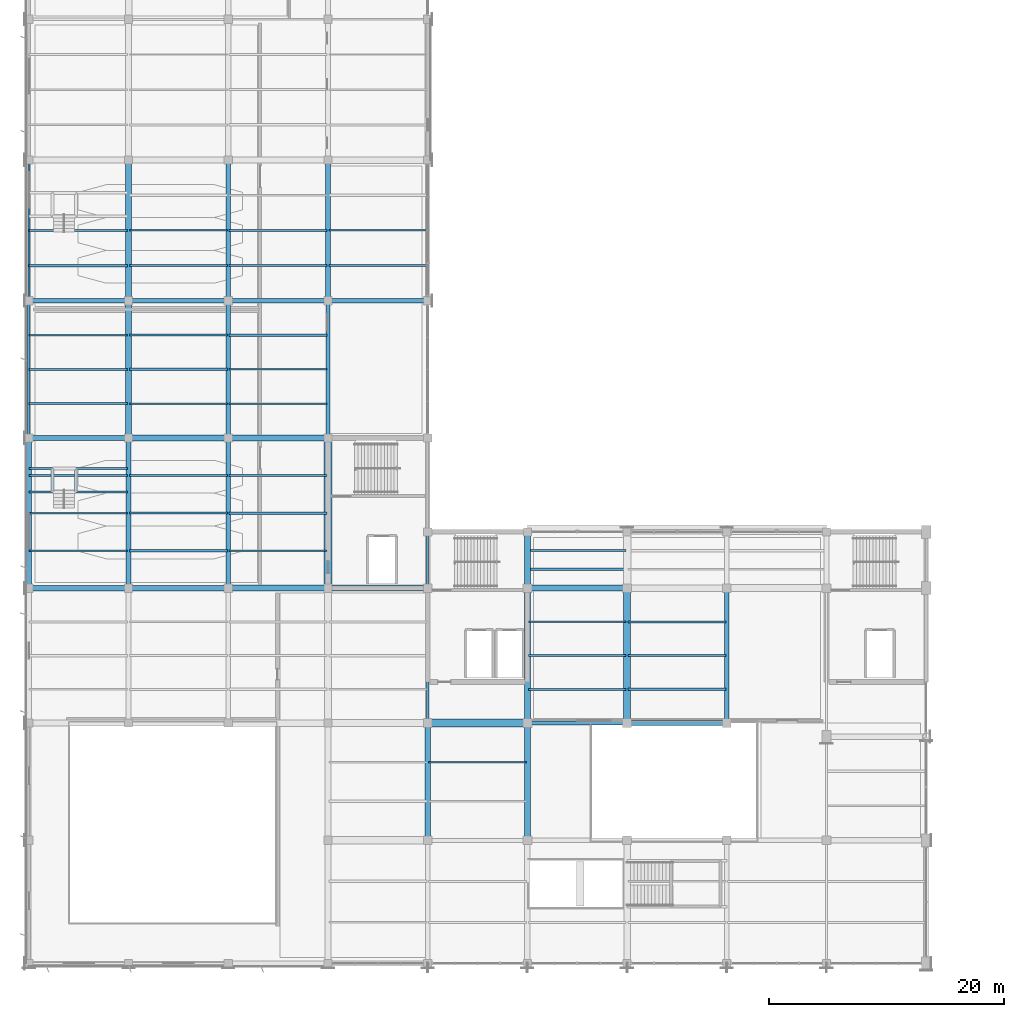
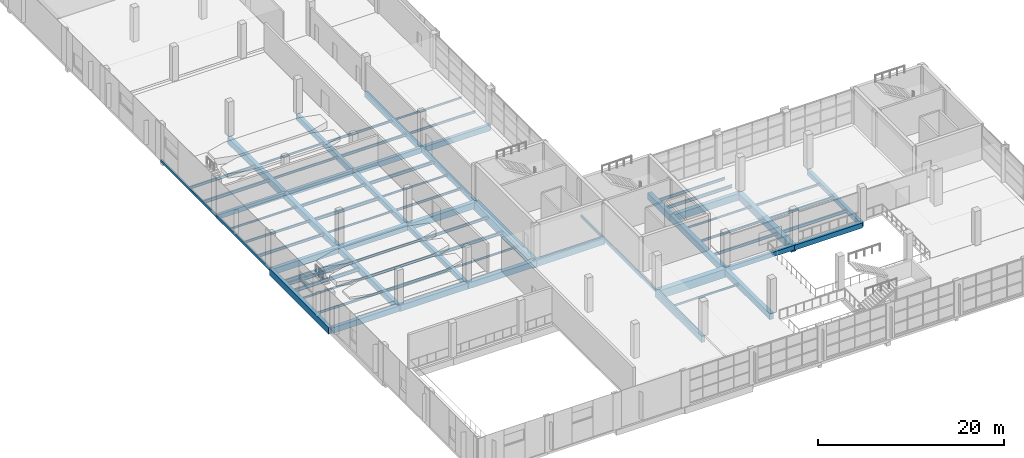
# One storey, part 18 of 112: 74 beams.
"""IFC4 building model written with IfcOpenShell, lengths in metres."""

from ifc_helpers import new_model, si_unit, direction, frame, origin, origin_2d, place, context, subcontext, project, spatial, rectangle, hollow_rectangle, i_section, extrude, material, material_profile, profile_set, type_object, element, save


model = new_model("IFC4")

# Units and contexts
model_context = context("Model", 3, precision=1e-05, world=origin(), true_north=direction((0.0, 1.0)))
body_context = subcontext(model_context, "Body", "Model", "MODEL_VIEW")
ifc_project = project(units=[si_unit("LENGTHUNIT", "METRE"), si_unit("AREAUNIT", "SQUARE_METRE"), si_unit("VOLUMEUNIT", "CUBIC_METRE"), si_unit("PLANEANGLEUNIT", "RADIAN"), si_unit("MASSUNIT", "GRAM", prefix="KILO")], contexts=[model_context])

# Site, building, storey
site_placement = place(None, origin())
site = spatial("IfcSite", under=ifc_project, at=site_placement, CompositionType="ELEMENT")
building_placement = place(site_placement, origin())
building = spatial("IfcBuilding", under=site, at=building_placement, Name="Solvikara Media Centre", CompositionType="ELEMENT")
storey_placement = place(building_placement, frame((0.0, 0.0, 5.39990234375)))
storey = spatial("IfcBuildingStorey", under=building, at=storey_placement, Name="L01", CompositionType="ELEMENT", Elevation=5.39990234375)

# Beams
ifc_material_1 = material(Name="Concrete fc' 35 MPa (C35/45)", Category="concrete")
ifc_material_profile_1 = material_profile(ifc_material_1, rectangle(XDim=0.35009765625, YDim=0.60009765625, at=origin_2d()), Name="RC 350x600")
ifc_profile_set_1 = profile_set([ifc_material_profile_1], Name="Concrete fc' 35 MPa (C35/45)")
beam_type_1 = type_object("IfcBeamType", Name="BM-01", PredefinedType="BEAM", material=ifc_profile_set_1)
for number, where, z_axis, x_axis, name in (
    (1, (42.5, 20.5, -0.559814453125), (1.0, 0.0, 0.0), (0.0, 1.0, 0.0), "B-L01-X0469"),
    (2, (0.0, 56.5, -0.559814453125), (1.0, 0.0, 0.0), (0.0, 1.0, 0.0), "B-L01-X0493"),
):
    element("IfcBeam", number, at=place(storey_placement, frame(where, z_axis=z_axis, x_axis=x_axis)), inside=storey, type_object=beam_type_1, Name=name, PredefinedType="BEAM", context=body_context, shape_type="SweptSolid", body=[
        extrude(rectangle(XDim=0.35009765625, YDim=0.60009765625, at=origin_2d()), origin(), (0.0, 0.0, 1.0), 8.5),
    ])
beam_1_placement = place(storey_placement, frame((25.5, 44.800048828125, -0.559814453125), z_axis=(0.0, 1.0, 0.0), x_axis=(-1.0, 0.0, 0.0)))
element("IfcBeam", 3, at=beam_1_placement, inside=storey, type_object=beam_type_1, Name="B-L01-Y0565", PredefinedType="BEAM", context=body_context, shape_type="SweptSolid", body=[
    extrude(rectangle(XDim=0.35009765625, YDim=0.60009765625, at=origin_2d()), origin(), (0.0, 0.0, 1.0), 11.699951171875),
])
ifc_material_profile_2 = material_profile(ifc_material_1, rectangle(XDim=0.39990234375, YDim=0.64990234375, at=origin_2d()), Name="RC 400x650")
ifc_profile_set_2 = profile_set([ifc_material_profile_2], Name="Concrete fc' 35 MPa (C35/45)")
beam_type_2 = type_object("IfcBeamType", Name="BM-02", PredefinedType="BEAM", material=ifc_profile_set_2)
for number, where, z_axis, x_axis, name in (
    (4, (51.0, 20.5, -0.5849609375), (1.0, 0.0, 0.0), (0.0, 1.0, 0.0), "B-L01-X0470"),
    (5, (8.5, 56.5, -0.5849609375), (1.0, 0.0, 0.0), (0.0, 1.0, 0.0), "B-L01-X0494"),
):
    element("IfcBeam", number, at=place(storey_placement, frame(where, z_axis=z_axis, x_axis=x_axis)), inside=storey, type_object=beam_type_2, Name=name, PredefinedType="BEAM", context=body_context, shape_type="SweptSolid", body=[
        extrude(rectangle(XDim=0.39990234375, YDim=0.64990234375, at=origin_2d()), origin(), (0.0, 0.0, 1.0), 8.5),
    ])
beam_2_placement = place(storey_placement, frame((17.0, 32.0, -0.5849609375), z_axis=(0.0, 1.0, 0.0), x_axis=(-1.0, 0.0, 0.0)))
element("IfcBeam", 6, at=beam_2_placement, inside=storey, type_object=beam_type_2, Name="B-L01-Y0554", PredefinedType="BEAM", context=body_context, shape_type="SweptSolid", body=[
    extrude(rectangle(XDim=0.39990234375, YDim=0.64990234375, at=origin_2d()), origin(), (0.0, 0.0, 1.0), 12.800048828125),
])
beam_3_placement = place(storey_placement, frame((25.5, 56.5, -0.5849609375), z_axis=(0.0, 1.0, 0.0), x_axis=(-1.0, 0.0, 0.0)))
element("IfcBeam", 7, at=beam_3_placement, inside=storey, type_object=beam_type_2, Name="B-L01-Y0566", PredefinedType="BEAM", context=body_context, shape_type="SweptSolid", body=[
    extrude(rectangle(XDim=0.39990234375, YDim=0.64990234375, at=origin_2d()), origin(), (0.0, 0.0, 1.0), 12.0),
])
beam_4_placement = place(storey_placement, frame((59.5, 20.5, -0.5849609375), z_axis=(0.0, 1.0, 0.0), x_axis=(-1.0, 0.0, 0.0)))
element("IfcBeam", 8, at=beam_4_placement, inside=storey, type_object=beam_type_2, Name="B-L01-Y0590", PredefinedType="BEAM", context=body_context, shape_type="SweptSolid", body=[
    extrude(rectangle(XDim=0.39990234375, YDim=0.64990234375, at=origin_2d()), origin(), (0.0, 0.0, 1.0), 11.5),
])
ifc_material_profile_3 = material_profile(ifc_material_1, rectangle(XDim=0.39990234375, YDim=0.699951171875, at=origin_2d()), Name="RC 400x700")
ifc_profile_set_3 = profile_set([ifc_material_profile_3], Name="Concrete fc' 35 MPa (C35/45)")
beam_type_3 = type_object("IfcBeamType", Name="BM-03", PredefinedType="BEAM", material=ifc_profile_set_3)
beam_5_placement = place(storey_placement, frame((17.0, 56.5, -0.60986328125), z_axis=(1.0, 0.0, 0.0), x_axis=(0.0, 1.0, 0.0)))
element("IfcBeam", 9, at=beam_5_placement, inside=storey, type_object=beam_type_3, Name="B-L01-X0495", PredefinedType="BEAM", context=body_context, shape_type="SweptSolid", body=[
    extrude(rectangle(XDim=0.39990234375, YDim=0.699951171875, at=origin_2d()), origin(), (0.0, 0.0, 1.0), 8.5),
])
beam_6_placement = place(storey_placement, frame((17.0, 44.800048828125, -0.60986328125), z_axis=(0.0, 1.0, 0.0), x_axis=(-1.0, 0.0, 0.0)))
element("IfcBeam", 10, at=beam_6_placement, inside=storey, type_object=beam_type_3, Name="B-L01-Y0555", PredefinedType="BEAM", context=body_context, shape_type="SweptSolid", body=[
    extrude(rectangle(XDim=0.39990234375, YDim=0.699951171875, at=origin_2d()), origin(), (0.0, 0.0, 1.0), 11.699951171875),
])
ifc_material_profile_4 = material_profile(ifc_material_1, rectangle(XDim=0.39990234375, YDim=0.75, at=origin_2d()), Name="RC 400x750")
ifc_profile_set_4 = profile_set([ifc_material_profile_4], Name="Concrete fc' 35 MPa (C35/45)")
beam_type_4 = type_object("IfcBeamType", Name="BM-04", PredefinedType="BEAM", material=ifc_profile_set_4)
beam_7_placement = place(storey_placement, frame((25.5, 56.5, -0.635009765625), z_axis=(1.0, 0.0, 0.0), x_axis=(0.0, 1.0, 0.0)))
element("IfcBeam", 11, at=beam_7_placement, inside=storey, type_object=beam_type_4, Name="B-L01-X0496", PredefinedType="BEAM", context=body_context, shape_type="SweptSolid", body=[
    extrude(rectangle(XDim=0.39990234375, YDim=0.75, at=origin_2d()), origin(), (0.0, 0.0, 1.0), 8.5),
])
beam_8_placement = place(storey_placement, frame((17.0, 56.5, -0.635009765625), z_axis=(0.0, 1.0, 0.0), x_axis=(-1.0, 0.0, 0.0)))
element("IfcBeam", 12, at=beam_8_placement, inside=storey, type_object=beam_type_4, Name="B-L01-Y0556", PredefinedType="BEAM", context=body_context, shape_type="SweptSolid", body=[
    extrude(rectangle(XDim=0.39990234375, YDim=0.75, at=origin_2d()), origin(), (0.0, 0.0, 1.0), 12.0),
])
ifc_material_profile_5 = material_profile(ifc_material_1, rectangle(XDim=0.449951171875, YDim=0.75, at=origin_2d()), Name="RC 450x750")
ifc_profile_set_5 = profile_set([ifc_material_profile_5], Name="Concrete fc' 35 MPa (C35/45)")
beam_type_5 = type_object("IfcBeamType", Name="BM-05", PredefinedType="BEAM", material=ifc_profile_set_5)
beam_9_placement = place(storey_placement, frame((0.0, 32.0, -0.635009765625), z_axis=(1.0, 0.0, 0.0), x_axis=(0.0, 1.0, 0.0)))
element("IfcBeam", 13, at=beam_9_placement, inside=storey, type_object=beam_type_5, Name="B-L01-X0473", PredefinedType="BEAM", context=body_context, shape_type="SweptSolid", body=[
    extrude(rectangle(XDim=0.449951171875, YDim=0.75, at=origin_2d()), origin(), (0.0, 0.0, 1.0), 8.5),
])
ifc_material_profile_6 = material_profile(ifc_material_1, rectangle(XDim=0.449951171875, YDim=0.800048828125, at=origin_2d()), Name="RC 450x800")
ifc_profile_set_6 = profile_set([ifc_material_profile_6], Name="Concrete fc' 35 MPa (C35/45)")
beam_type_6 = type_object("IfcBeamType", Name="BM-06", PredefinedType="BEAM", material=ifc_profile_set_6)
for number, where, z_axis, x_axis, name in (
    (14, (8.5, 32.0, -0.659912109375), (1.0, 0.0, 0.0), (0.0, 1.0, 0.0), "B-L01-X0474"),
    (15, (0.0, 44.800048828125, -0.659912109375), (1.0, 0.0, 0.0), (0.0, 1.0, 0.0), "B-L01-X0486"),
):
    element("IfcBeam", number, at=place(storey_placement, frame(where, z_axis=z_axis, x_axis=x_axis)), inside=storey, type_object=beam_type_6, Name=name, PredefinedType="BEAM", context=body_context, shape_type="SweptSolid", body=[
        extrude(rectangle(XDim=0.449951171875, YDim=0.800048828125, at=origin_2d()), origin(), (0.0, 0.0, 1.0), 8.5),
    ])
beam_10_placement = place(storey_placement, frame((8.5, 32.0, -0.659912109375), z_axis=(0.0, 1.0, 0.0), x_axis=(-1.0, 0.0, 0.0)))
element("IfcBeam", 16, at=beam_10_placement, inside=storey, type_object=beam_type_6, Name="B-L01-Y0546", PredefinedType="BEAM", context=body_context, shape_type="SweptSolid", body=[
    extrude(rectangle(XDim=0.449951171875, YDim=0.800048828125, at=origin_2d()), origin(), (0.0, 0.0, 1.0), 12.800048828125),
])
ifc_material_profile_7 = material_profile(ifc_material_1, rectangle(XDim=0.5, YDim=0.800048828125, at=origin_2d()), Name="RC 500x800")
ifc_profile_set_7 = profile_set([ifc_material_profile_7], Name="Concrete fc' 35 MPa (C35/45)")
beam_type_7 = type_object("IfcBeamType", Name="BM-07", PredefinedType="BEAM", material=ifc_profile_set_7)
for number, where, z_axis, x_axis, name in (
    (17, (17.0, 32.0, -0.659912109375), (1.0, 0.0, 0.0), (0.0, 1.0, 0.0), "B-L01-X0475"),
    (18, (8.5, 44.800048828125, -0.659912109375), (1.0, 0.0, 0.0), (0.0, 1.0, 0.0), "B-L01-X0487"),
):
    element("IfcBeam", number, at=place(storey_placement, frame(where, z_axis=z_axis, x_axis=x_axis)), inside=storey, type_object=beam_type_7, Name=name, PredefinedType="BEAM", context=body_context, shape_type="SweptSolid", body=[
        extrude(rectangle(XDim=0.5, YDim=0.800048828125, at=origin_2d()), origin(), (0.0, 0.0, 1.0), 8.5),
    ])
beam_11_placement = place(storey_placement, frame((8.5, 44.800048828125, -0.659912109375), z_axis=(0.0, 1.0, 0.0), x_axis=(-1.0, 0.0, 0.0)))
element("IfcBeam", 19, at=beam_11_placement, inside=storey, type_object=beam_type_7, Name="B-L01-Y0547", PredefinedType="BEAM", context=body_context, shape_type="SweptSolid", body=[
    extrude(rectangle(XDim=0.5, YDim=0.800048828125, at=origin_2d()), origin(), (0.0, 0.0, 1.0), 11.699951171875),
])
beam_12_placement = place(storey_placement, frame((42.5, 10.5, -0.659912109375), z_axis=(0.0, 1.0, 0.0), x_axis=(-1.0, 0.0, 0.0)))
element("IfcBeam", 20, at=beam_12_placement, inside=storey, type_object=beam_type_7, Name="B-L01-Y0583", PredefinedType="BEAM", context=body_context, shape_type="SweptSolid", body=[
    extrude(rectangle(XDim=0.5, YDim=0.800048828125, at=origin_2d()), origin(), (0.0, 0.0, 1.0), 10.0),
])
ifc_material_profile_8 = material_profile(ifc_material_1, rectangle(XDim=0.5, YDim=0.85009765625, at=origin_2d()), Name="RC 500x850")
ifc_profile_set_8 = profile_set([ifc_material_profile_8], Name="Concrete fc' 35 MPa (C35/45)")
beam_type_8 = type_object("IfcBeamType", Name="BM-08", PredefinedType="BEAM", material=ifc_profile_set_8)
for number, where, z_axis, x_axis, name in (
    (21, (25.5, 32.0, -0.684814453125), (1.0, 0.0, 0.0), (0.0, 1.0, 0.0), "B-L01-X0476"),
    (22, (17.0, 44.800048828125, -0.684814453125), (1.0, 0.0, 0.0), (0.0, 1.0, 0.0), "B-L01-X0488"),
):
    element("IfcBeam", number, at=place(storey_placement, frame(where, z_axis=z_axis, x_axis=x_axis)), inside=storey, type_object=beam_type_8, Name=name, PredefinedType="BEAM", context=body_context, shape_type="SweptSolid", body=[
        extrude(rectangle(XDim=0.5, YDim=0.85009765625, at=origin_2d()), origin(), (0.0, 0.0, 1.0), 8.5),
    ])
beam_13_placement = place(storey_placement, frame((8.5, 56.5, -0.684814453125), z_axis=(0.0, 1.0, 0.0), x_axis=(-1.0, 0.0, 0.0)))
element("IfcBeam", 23, at=beam_13_placement, inside=storey, type_object=beam_type_8, Name="B-L01-Y0548", PredefinedType="BEAM", context=body_context, shape_type="SweptSolid", body=[
    extrude(rectangle(XDim=0.5, YDim=0.85009765625, at=origin_2d()), origin(), (0.0, 0.0, 1.0), 12.0),
])
beam_14_placement = place(storey_placement, frame((42.5, 20.5, -0.684814453125), z_axis=(0.0, 1.0, 0.0), x_axis=(-1.0, 0.0, 0.0)))
element("IfcBeam", 24, at=beam_14_placement, inside=storey, type_object=beam_type_8, Name="B-L01-Y0584", PredefinedType="BEAM", context=body_context, shape_type="SweptSolid", body=[
    extrude(rectangle(XDim=0.5, YDim=0.85009765625, at=origin_2d()), origin(), (0.0, 0.0, 1.0), 11.5),
])
ifc_material_2 = material(Name="Concrete fc' 45 MPa (C45/55)", Category="concrete")
ifc_material_profile_9 = material_profile(ifc_material_2, rectangle(XDim=0.5, YDim=0.89990234375, at=origin_2d()), Name="RC 500x900")
ifc_profile_set_9 = profile_set([ifc_material_profile_9], Name="Concrete fc' 45 MPa (C45/55)")
beam_type_9 = type_object("IfcBeamType", Name="BM-09", PredefinedType="BEAM", material=ifc_profile_set_9)
beam_15_placement = place(storey_placement, frame((42.5, 32.0, -0.7099609375), z_axis=(1.0, 0.0, 0.0), x_axis=(0.0, 1.0, 0.0)))
element("IfcBeam", 25, at=beam_15_placement, inside=storey, type_object=beam_type_9, Name="B-L01-X0477", PredefinedType="BEAM", context=body_context, shape_type="SweptSolid", body=[
    extrude(rectangle(XDim=0.5, YDim=0.89990234375, at=origin_2d()), origin(), (0.0, 0.0, 1.0), 8.5),
])
beam_16_placement = place(storey_placement, frame((42.5, 32.0, -0.7099609375), z_axis=(0.0, 1.0, 0.0), x_axis=(-1.0, 0.0, 0.0)))
element("IfcBeam", 26, at=beam_16_placement, inside=storey, type_object=beam_type_9, Name="B-L01-Y0585", PredefinedType="BEAM", context=body_context, shape_type="SweptSolid", body=[
    extrude(rectangle(XDim=0.5, YDim=0.89990234375, at=origin_2d()), origin(), (0.0, 0.0, 1.0), 4.800048828125),
])
ifc_material_profile_10 = material_profile(ifc_material_2, rectangle(XDim=0.60009765625, YDim=0.949951171875, at=origin_2d()), Name="RC 600x950")
ifc_profile_set_10 = profile_set([ifc_material_profile_10], Name="Concrete fc' 45 MPa (C45/55)")
beam_type_10 = type_object("IfcBeamType", Name="BM-11", PredefinedType="BEAM", material=ifc_profile_set_10)
beam_17_placement = place(storey_placement, frame((51.0, 20.5, -0.73486328125), z_axis=(0.0, 1.0, 0.0), x_axis=(-1.0, 0.0, 0.0)))
element("IfcBeam", 27, at=beam_17_placement, inside=storey, type_object=beam_type_10, Name="B-L01-Y0587", PredefinedType="BEAM", context=body_context, shape_type="SweptSolid", body=[
    extrude(rectangle(XDim=0.60009765625, YDim=0.949951171875, at=origin_2d()), origin(), (0.0, 0.0, 1.0), 11.5),
])
ifc_material_profile_11 = material_profile(ifc_material_2, rectangle(XDim=0.64990234375, YDim=1.10009765625, at=origin_2d()), Name="RC 650x1100")
ifc_profile_set_11 = profile_set([ifc_material_profile_11], Name="Concrete fc' 45 MPa (C45/55)")
beam_type_11 = type_object("IfcBeamType", Name="BM-12", PredefinedType="BEAM", material=ifc_profile_set_11)
beam_18_placement = place(storey_placement, frame((34.0, 20.5, -0.809814453125), z_axis=(1.0, 0.0, 0.0), x_axis=(0.0, 1.0, 0.0)))
element("IfcBeam", 28, at=beam_18_placement, inside=storey, type_object=beam_type_11, Name="B-L01-X0468", PredefinedType="BEAM", context=body_context, shape_type="SweptSolid", body=[
    extrude(rectangle(XDim=0.64990234375, YDim=1.10009765625, at=origin_2d()), origin(), (0.0, 0.0, 1.0), 8.5),
])
beam_19_placement = place(storey_placement, frame((25.5, 32.0, -0.809814453125), z_axis=(0.0, 1.0, 0.0), x_axis=(-1.0, 0.0, 0.0)))
element("IfcBeam", 29, at=beam_19_placement, inside=storey, type_object=beam_type_11, Name="B-L01-Y0564", PredefinedType="BEAM", context=body_context, shape_type="SweptSolid", body=[
    extrude(rectangle(XDim=0.64990234375, YDim=1.10009765625, at=origin_2d()), origin(), (0.0, 0.0, 1.0), 12.800048828125),
])
ifc_material_profile_12 = material_profile(ifc_material_1, rectangle(XDim=0.449951171875, YDim=0.85009765625, at=origin_2d()), Name="RC 450x850")
ifc_profile_set_12 = profile_set([ifc_material_profile_12], Name="Concrete fc' 35 MPa (C35/45)")
beam_type_12 = type_object("IfcBeamType", Name="BM-14", PredefinedType="SPANDREL", material=ifc_profile_set_12)
beam_20_placement = place(storey_placement, frame((0.0, 32.0, -0.684814453125), z_axis=(0.0, 1.0, 0.0), x_axis=(-1.0, 0.0, 0.0)))
element("IfcBeam", 30, at=beam_20_placement, inside=storey, type_object=beam_type_12, Name="B-L01-Y0538", PredefinedType="SPANDREL", context=body_context, shape_type="SweptSolid", body=[
    extrude(rectangle(XDim=0.449951171875, YDim=0.85009765625, at=origin_2d()), origin(), (0.0, 0.0, 1.0), 12.800048828125),
])
beam_21_placement = place(storey_placement, frame((34.0, 10.5, -0.684814453125), z_axis=(0.0, 1.0, 0.0), x_axis=(-1.0, 0.0, 0.0)))
element("IfcBeam", 31, at=beam_21_placement, inside=storey, type_object=beam_type_12, Name="B-L01-Y0572", PredefinedType="SPANDREL", context=body_context, shape_type="SweptSolid", body=[
    extrude(rectangle(XDim=0.449951171875, YDim=0.85009765625, at=origin_2d()), origin(), (0.0, 0.0, 1.0), 10.0),
])
ifc_material_3 = material(Name="Steel S355JR", Category="steel")
ifc_material_profile_13 = material_profile(ifc_material_3, i_section(OverallWidth=0.199951171875, OverallDepth=0.449951171875, WebThickness=0.009033203125, FlangeThickness=0.013916015625, at=origin_2d()), Name="WF 450x200x9x14")
ifc_profile_set_13 = profile_set([ifc_material_profile_13], Name="Steel S355JR")
beam_type_13 = type_object("IfcBeamType", Name="BM-20", PredefinedType="BEAM", material=ifc_profile_set_13)
for number, where, z_axis, x_axis, name in (
    (32, (0.0, 40.199951171875, -0.48681640625), (1.0, 0.0, 0.0), (0.0, 1.0, 0.0), "B-VOM-MX4-1"),
    (33, (0.0, 42.199951171875, -0.48681640625), (1.0, 0.0, 0.0), (0.0, 1.0, 0.0), "B-VOM-MX4-2"),
):
    element("IfcBeam", number, at=place(storey_placement, frame(where, z_axis=z_axis, x_axis=x_axis)), inside=storey, type_object=beam_type_13, Name=name, PredefinedType="BEAM", context=body_context, shape_type="SweptSolid", body=[
        extrude(i_section(OverallWidth=0.199951171875, OverallDepth=0.449951171875, WebThickness=0.009033203125, FlangeThickness=0.013916015625, at=origin_2d()), origin(), (0.0, 0.0, 1.0), 8.419921875),
    ])
for number, where, z_axis, x_axis, name in (
    (34, (2.0, 40.280029296875, -0.48681640625), (0.0, 1.0, 0.0), (-1.0, 0.0, 0.0), "BVW-ST-MX4-AISLE-W"),
    (35, (4.0, 40.280029296875, -0.48681640625), (0.0, 1.0, 0.0), (-1.0, 0.0, 0.0), "BVW-ST-MX4-AISLE-E"),
):
    element("IfcBeam", number, at=place(storey_placement, frame(where, z_axis=z_axis, x_axis=x_axis)), inside=storey, type_object=beam_type_13, Name=name, PredefinedType="BEAM", context=body_context, shape_type="SweptSolid", body=[
        extrude(i_section(OverallWidth=0.199951171875, OverallDepth=0.449951171875, WebThickness=0.009033203125, FlangeThickness=0.013916015625, at=origin_2d()), origin(), (0.0, 0.0, 1.0), 1.840087890625),
    ])
ifc_material_profile_14 = material_profile(ifc_material_3, i_section(OverallWidth=0.199951171875, OverallDepth=0.39990234375, WebThickness=0.008056640625, FlangeThickness=0.012939453125, at=origin_2d()), Name="WF 400x200x8x13")
ifc_profile_set_14 = profile_set([ifc_material_profile_14], Name="Steel S355JR")
beam_type_14 = type_object("IfcBeamType", Name="BM-21", PredefinedType="JOIST", material=ifc_profile_set_14)
beam_22_placement = place(storey_placement, frame((0.0, 41.60009765625, -0.4619140625), z_axis=(1.0, 0.0, 0.0), x_axis=(0.0, 1.0, 0.0)))
element("IfcBeam", 36, at=beam_22_placement, inside=storey, type_object=beam_type_14, Name="J-L01-0649", PredefinedType="JOIST", context=body_context, shape_type="SweptSolid", body=[
    extrude(i_section(OverallWidth=0.199951171875, OverallDepth=0.39990234375, WebThickness=0.008056640625, FlangeThickness=0.012939453125, at=origin_2d()), origin(), (0.0, 0.0, 1.0), 8.422119140625),
])
for number, where, z_axis, x_axis, name in (
    (37, (8.577880859375, 50.64990234375, -0.4619140625), (1.0, 0.0, 0.0), (0.0, 1.0, 0.0), "J-L01-0673"),
    (38, (17.077880859375, 53.574951171875, -0.4619140625), (1.0, 0.0, 0.0), (0.0, 1.0, 0.0), "J-L01-0697"),
    (39, (51.077880859375, 23.375, -0.4619140625), (1.0, 0.0, 0.0), (0.0, 1.0, 0.0), "J-L01-0745"),
):
    element("IfcBeam", number, at=place(storey_placement, frame(where, z_axis=z_axis, x_axis=x_axis)), inside=storey, type_object=beam_type_14, Name=name, PredefinedType="JOIST", context=body_context, shape_type="SweptSolid", body=[
        extrude(i_section(OverallWidth=0.199951171875, OverallDepth=0.39990234375, WebThickness=0.008056640625, FlangeThickness=0.012939453125, at=origin_2d()), origin(), (0.0, 0.0, 1.0), 8.34423828125),
    ])
ifc_material_profile_15 = material_profile(ifc_material_3, i_section(OverallWidth=0.175048828125, OverallDepth=0.35009765625, WebThickness=0.007080078125, FlangeThickness=0.010986328125, at=origin_2d()), Name="WF 350x175x7x11")
ifc_profile_set_15 = profile_set([ifc_material_profile_15], Name="Steel S355JR")
beam_type_15 = type_object("IfcBeamType", Name="BM-22", PredefinedType="JOIST", material=ifc_profile_set_15)
beam_23_placement = place(storey_placement, frame((0.0, 47.72509765625, -0.43701171875), z_axis=(1.0, 0.0, 0.0), x_axis=(0.0, 1.0, 0.0)))
element("IfcBeam", 40, at=beam_23_placement, inside=storey, type_object=beam_type_15, Name="J-L01-0650", PredefinedType="JOIST", context=body_context, shape_type="SweptSolid", body=[
    extrude(i_section(OverallWidth=0.175048828125, OverallDepth=0.35009765625, WebThickness=0.007080078125, FlangeThickness=0.010986328125, at=origin_2d()), origin(), (0.0, 0.0, 1.0), 8.422119140625),
])
for number, where, z_axis, x_axis, name in (
    (41, (8.577880859375, 53.574951171875, -0.43701171875), (1.0, 0.0, 0.0), (0.0, 1.0, 0.0), "J-L01-0674"),
    (42, (17.077880859375, 59.5, -0.43701171875), (1.0, 0.0, 0.0), (0.0, 1.0, 0.0), "J-L01-0698"),
    (43, (42.577880859375, 23.375, -0.43701171875), (1.0, 0.0, 0.0), (0.0, 1.0, 0.0), "J-L01-0738"),
    (44, (51.077880859375, 26.25, -0.43701171875), (1.0, 0.0, 0.0), (0.0, 1.0, 0.0), "J-L01-0746"),
):
    element("IfcBeam", number, at=place(storey_placement, frame(where, z_axis=z_axis, x_axis=x_axis)), inside=storey, type_object=beam_type_15, Name=name, PredefinedType="JOIST", context=body_context, shape_type="SweptSolid", body=[
        extrude(i_section(OverallWidth=0.175048828125, OverallDepth=0.35009765625, WebThickness=0.007080078125, FlangeThickness=0.010986328125, at=origin_2d()), origin(), (0.0, 0.0, 1.0), 8.34423828125),
    ])
ifc_material_profile_16 = material_profile(ifc_material_3, i_section(OverallWidth=0.14990234375, OverallDepth=0.300048828125, WebThickness=0.006591796875, FlangeThickness=0.009033203125, at=origin_2d()), Name="WF 300x150x6.5x9")
ifc_profile_set_16 = profile_set([ifc_material_profile_16], Name="Steel S355JR")
beam_type_16 = type_object("IfcBeamType", Name="BM-23", PredefinedType="JOIST", material=ifc_profile_set_16)
beam_24_placement = place(storey_placement, frame((0.0, 50.64990234375, -0.411865234375), z_axis=(1.0, 0.0, 0.0), x_axis=(0.0, 1.0, 0.0)))
element("IfcBeam", 45, at=beam_24_placement, inside=storey, type_object=beam_type_16, Name="J-L01-0651", PredefinedType="JOIST", context=body_context, shape_type="SweptSolid", body=[
    extrude(i_section(OverallWidth=0.14990234375, OverallDepth=0.300048828125, WebThickness=0.006591796875, FlangeThickness=0.009033203125, at=origin_2d()), origin(), (0.0, 0.0, 1.0), 8.422119140625),
])
for number, where, z_axis, x_axis, name in (
    (46, (8.577880859375, 59.5, -0.411865234375), (1.0, 0.0, 0.0), (0.0, 1.0, 0.0), "J-L01-0675"),
    (47, (17.077880859375, 62.5, -0.411865234375), (1.0, 0.0, 0.0), (0.0, 1.0, 0.0), "J-L01-0699"),
    (48, (42.577880859375, 26.25, -0.411865234375), (1.0, 0.0, 0.0), (0.0, 1.0, 0.0), "J-L01-0739"),
    (49, (51.077880859375, 29.125, -0.411865234375), (1.0, 0.0, 0.0), (0.0, 1.0, 0.0), "J-L01-0747"),
):
    element("IfcBeam", number, at=place(storey_placement, frame(where, z_axis=z_axis, x_axis=x_axis)), inside=storey, type_object=beam_type_16, Name=name, PredefinedType="JOIST", context=body_context, shape_type="SweptSolid", body=[
        extrude(i_section(OverallWidth=0.14990234375, OverallDepth=0.300048828125, WebThickness=0.006591796875, FlangeThickness=0.009033203125, at=origin_2d()), origin(), (0.0, 0.0, 1.0), 8.34423828125),
    ])
ifc_material_profile_17 = material_profile(ifc_material_3, i_section(OverallWidth=0.125, OverallDepth=0.25, WebThickness=0.006103515625, FlangeThickness=0.009033203125, at=origin_2d()), Name="WF 250x125x6x9")
ifc_profile_set_17 = profile_set([ifc_material_profile_17], Name="Steel S355JR")
beam_type_17 = type_object("IfcBeamType", Name="BM-24", PredefinedType="JOIST", material=ifc_profile_set_17)
beam_25_placement = place(storey_placement, frame((0.0, 53.574951171875, -0.386962890625), z_axis=(1.0, 0.0, 0.0), x_axis=(0.0, 1.0, 0.0)))
element("IfcBeam", 50, at=beam_25_placement, inside=storey, type_object=beam_type_17, Name="J-L01-0652", PredefinedType="JOIST", context=body_context, shape_type="SweptSolid", body=[
    extrude(i_section(OverallWidth=0.125, OverallDepth=0.25, WebThickness=0.006103515625, FlangeThickness=0.009033203125, at=origin_2d()), origin(), (0.0, 0.0, 1.0), 8.422119140625),
])
for number, where, z_axis, x_axis, name in (
    (51, (8.577880859375, 62.5, -0.386962890625), (1.0, 0.0, 0.0), (0.0, 1.0, 0.0), "J-L01-0676"),
    (52, (17.077880859375, 35.199951171875, -0.386962890625), (1.0, 0.0, 0.0), (0.0, 1.0, 0.0), "J-L01-0692"),
    (53, (42.577880859375, 29.125, -0.386962890625), (1.0, 0.0, 0.0), (0.0, 1.0, 0.0), "J-L01-0740"),
):
    element("IfcBeam", number, at=place(storey_placement, frame(where, z_axis=z_axis, x_axis=x_axis)), inside=storey, type_object=beam_type_17, Name=name, PredefinedType="JOIST", context=body_context, shape_type="SweptSolid", body=[
        extrude(i_section(OverallWidth=0.125, OverallDepth=0.25, WebThickness=0.006103515625, FlangeThickness=0.009033203125, at=origin_2d()), origin(), (0.0, 0.0, 1.0), 8.34423828125),
    ])
ifc_material_profile_18 = material_profile(ifc_material_3, hollow_rectangle(XDim=0.199951171875, YDim=0.39990234375, WallThickness=0.011962890625, at=origin_2d()), Name="RHS 400x200x12")
ifc_profile_set_18 = profile_set([ifc_material_profile_18], Name="Steel S355JR")
beam_type_18 = type_object("IfcBeamType", Name="BM-33", PredefinedType="SPANDREL", material=ifc_profile_set_18)
beam_26_placement = place(storey_placement, frame((0.0, 44.800048828125, -0.4619140625), z_axis=(0.0, 1.0, 0.0), x_axis=(-1.0, 0.0, 0.0)))
element("IfcBeam", 54, at=beam_26_placement, inside=storey, type_object=beam_type_18, Name="B-L01-Y0539", PredefinedType="SPANDREL", context=body_context, shape_type="SweptSolid", body=[
    extrude(hollow_rectangle(XDim=0.199951171875, YDim=0.39990234375, WallThickness=0.011962890625, at=origin_2d()), origin(), (0.0, 0.0, 1.0), 11.699951171875),
])
beam_27_placement = place(storey_placement, frame((34.0, 20.5, -0.4619140625), z_axis=(0.0, 1.0, 0.0), x_axis=(-1.0, 0.0, 0.0)))
element("IfcBeam", 55, at=beam_27_placement, inside=storey, type_object=beam_type_18, Name="B-L01-Y0573", PredefinedType="SPANDREL", context=body_context, shape_type="SweptSolid", body=[
    extrude(hollow_rectangle(XDim=0.199951171875, YDim=0.39990234375, WallThickness=0.011962890625, at=origin_2d()), origin(), (0.0, 0.0, 1.0), 11.5),
])
ifc_material_profile_19 = material_profile(ifc_material_3, hollow_rectangle(XDim=0.175048828125, YDim=0.35009765625, WallThickness=0.010009765625, at=origin_2d()), Name="RHS 350x175x10")
ifc_profile_set_19 = profile_set([ifc_material_profile_19], Name="Steel S355JR")
beam_type_19 = type_object("IfcBeamType", Name="BM-34", PredefinedType="SPANDREL", material=ifc_profile_set_19)
beam_28_placement = place(storey_placement, frame((0.0, 56.5, -0.43701171875), z_axis=(0.0, 1.0, 0.0), x_axis=(-1.0, 0.0, 0.0)))
element("IfcBeam", 56, at=beam_28_placement, inside=storey, type_object=beam_type_19, Name="B-L01-Y0540", PredefinedType="SPANDREL", context=body_context, shape_type="SweptSolid", body=[
    extrude(hollow_rectangle(XDim=0.175048828125, YDim=0.35009765625, WallThickness=0.010009765625, at=origin_2d()), origin(), (0.0, 0.0, 1.0), 12.0),
])
beam_29_placement = place(storey_placement, frame((34.0, 32.0, -0.43701171875), z_axis=(0.0, 1.0, 0.0), x_axis=(-1.0, 0.0, 0.0)))
element("IfcBeam", 57, at=beam_29_placement, inside=storey, type_object=beam_type_19, Name="B-L01-Y0574", PredefinedType="SPANDREL", context=body_context, shape_type="SweptSolid", body=[
    extrude(hollow_rectangle(XDim=0.175048828125, YDim=0.35009765625, WallThickness=0.010009765625, at=origin_2d()), origin(), (0.0, 0.0, 1.0), 4.800048828125),
])
ifc_material_profile_20 = material_profile(ifc_material_3, i_section(OverallWidth=0.198974609375, OverallDepth=0.39599609375, WebThickness=0.007080078125, FlangeThickness=0.010986328125, at=origin_2d()), Name="WF 396x199x7x11")
ifc_profile_set_20 = profile_set([ifc_material_profile_20], Name="Steel S355JR")
beam_type_20 = type_object("IfcBeamType", Name="BM-37", PredefinedType="JOIST", material=ifc_profile_set_20)
beam_30_placement = place(storey_placement, frame((0.0, 59.5, -0.4599609375), z_axis=(1.0, 0.0, 0.0), x_axis=(0.0, 1.0, 0.0)))
element("IfcBeam", 58, at=beam_30_placement, inside=storey, type_object=beam_type_20, Name="J-L01-0653", PredefinedType="JOIST", context=body_context, shape_type="SweptSolid", body=[
    extrude(i_section(OverallWidth=0.198974609375, OverallDepth=0.39599609375, WebThickness=0.007080078125, FlangeThickness=0.010986328125, at=origin_2d()), origin(), (0.0, 0.0, 1.0), 8.422119140625),
])
for number, where, z_axis, x_axis, name in (
    (59, (8.577880859375, 35.199951171875, -0.4599609375), (1.0, 0.0, 0.0), (0.0, 1.0, 0.0), "J-L01-0669"),
    (60, (17.077880859375, 38.39990234375, -0.4599609375), (1.0, 0.0, 0.0), (0.0, 1.0, 0.0), "J-L01-0693"),
    (61, (42.577880859375, 33.60009765625, -0.4599609375), (1.0, 0.0, 0.0), (0.0, 1.0, 0.0), "J-L01-0741"),
):
    element("IfcBeam", number, at=place(storey_placement, frame(where, z_axis=z_axis, x_axis=x_axis)), inside=storey, type_object=beam_type_20, Name=name, PredefinedType="JOIST", context=body_context, shape_type="SweptSolid", body=[
        extrude(i_section(OverallWidth=0.198974609375, OverallDepth=0.39599609375, WebThickness=0.007080078125, FlangeThickness=0.010986328125, at=origin_2d()), origin(), (0.0, 0.0, 1.0), 8.34423828125),
    ])
ifc_material_profile_21 = material_profile(ifc_material_3, i_section(OverallWidth=0.174072265625, OverallDepth=0.345947265625, WebThickness=0.006103515625, FlangeThickness=0.009033203125, at=origin_2d()), Name="WF 346x174x6x9")
ifc_profile_set_21 = profile_set([ifc_material_profile_21], Name="Steel S355JR")
beam_type_21 = type_object("IfcBeamType", Name="BM-38", PredefinedType="JOIST", material=ifc_profile_set_21)
beam_31_placement = place(storey_placement, frame((0.0, 62.5, -0.434814453125), z_axis=(1.0, 0.0, 0.0), x_axis=(0.0, 1.0, 0.0)))
element("IfcBeam", 62, at=beam_31_placement, inside=storey, type_object=beam_type_21, Name="J-L01-0654", PredefinedType="JOIST", context=body_context, shape_type="SweptSolid", body=[
    extrude(i_section(OverallWidth=0.174072265625, OverallDepth=0.345947265625, WebThickness=0.006103515625, FlangeThickness=0.009033203125, at=origin_2d()), origin(), (0.0, 0.0, 1.0), 8.422119140625),
])
for number, where, z_axis, x_axis, name in (
    (63, (8.577880859375, 38.39990234375, -0.434814453125), (1.0, 0.0, 0.0), (0.0, 1.0, 0.0), "J-L01-0670"),
    (64, (17.077880859375, 41.60009765625, -0.434814453125), (1.0, 0.0, 0.0), (0.0, 1.0, 0.0), "J-L01-0694"),
    (65, (42.577880859375, 35.199951171875, -0.434814453125), (1.0, 0.0, 0.0), (0.0, 1.0, 0.0), "J-L01-0742"),
):
    element("IfcBeam", number, at=place(storey_placement, frame(where, z_axis=z_axis, x_axis=x_axis)), inside=storey, type_object=beam_type_21, Name=name, PredefinedType="JOIST", context=body_context, shape_type="SweptSolid", body=[
        extrude(i_section(OverallWidth=0.174072265625, OverallDepth=0.345947265625, WebThickness=0.006103515625, FlangeThickness=0.009033203125, at=origin_2d()), origin(), (0.0, 0.0, 1.0), 8.34423828125),
    ])
ifc_material_profile_22 = material_profile(ifc_material_3, i_section(OverallWidth=0.14892578125, OverallDepth=0.298095703125, WebThickness=0.005615234375, FlangeThickness=0.008056640625, at=origin_2d()), Name="WF 298x149x5.5x8")
ifc_profile_set_22 = profile_set([ifc_material_profile_22], Name="Steel S355JR")
beam_type_22 = type_object("IfcBeamType", Name="BM-39", PredefinedType="JOIST", material=ifc_profile_set_22)
beam_32_placement = place(storey_placement, frame((0.0, 35.199951171875, -0.410888671875), z_axis=(1.0, 0.0, 0.0), x_axis=(0.0, 1.0, 0.0)))
element("IfcBeam", 66, at=beam_32_placement, inside=storey, type_object=beam_type_22, Name="J-L01-0647", PredefinedType="JOIST", context=body_context, shape_type="SweptSolid", body=[
    extrude(i_section(OverallWidth=0.14892578125, OverallDepth=0.298095703125, WebThickness=0.005615234375, FlangeThickness=0.008056640625, at=origin_2d()), origin(), (0.0, 0.0, 1.0), 8.422119140625),
])
for number, where, z_axis, x_axis, name in (
    (67, (8.577880859375, 41.60009765625, -0.410888671875), (1.0, 0.0, 0.0), (0.0, 1.0, 0.0), "J-L01-0671"),
    (68, (17.077880859375, 47.72509765625, -0.410888671875), (1.0, 0.0, 0.0), (0.0, 1.0, 0.0), "J-L01-0695"),
    (69, (25.577880859375, 59.5, -0.410888671875), (1.0, 0.0, 0.0), (0.0, 1.0, 0.0), "J-L01-0719"),
):
    element("IfcBeam", number, at=place(storey_placement, frame(where, z_axis=z_axis, x_axis=x_axis)), inside=storey, type_object=beam_type_22, Name=name, PredefinedType="JOIST", context=body_context, shape_type="SweptSolid", body=[
        extrude(i_section(OverallWidth=0.14892578125, OverallDepth=0.298095703125, WebThickness=0.005615234375, FlangeThickness=0.008056640625, at=origin_2d()), origin(), (0.0, 0.0, 1.0), 8.34423828125),
    ])
ifc_material_profile_23 = material_profile(ifc_material_3, i_section(OverallWidth=0.1240234375, OverallDepth=0.248046875, WebThickness=0.0048828125, FlangeThickness=0.008056640625, at=origin_2d()), Name="WF 248x124x5x8")
ifc_profile_set_23 = profile_set([ifc_material_profile_23], Name="Steel S355JR")
beam_type_23 = type_object("IfcBeamType", Name="BM-40", PredefinedType="JOIST", material=ifc_profile_set_23)
beam_33_placement = place(storey_placement, frame((0.0, 38.39990234375, -0.385986328125), z_axis=(1.0, 0.0, 0.0), x_axis=(0.0, 1.0, 0.0)))
element("IfcBeam", 70, at=beam_33_placement, inside=storey, type_object=beam_type_23, Name="J-L01-0648", PredefinedType="JOIST", context=body_context, shape_type="SweptSolid", body=[
    extrude(i_section(OverallWidth=0.1240234375, OverallDepth=0.248046875, WebThickness=0.0048828125, FlangeThickness=0.008056640625, at=origin_2d()), origin(), (0.0, 0.0, 1.0), 8.422119140625),
])
for number, where, z_axis, x_axis, name in (
    (71, (8.577880859375, 47.72509765625, -0.385986328125), (1.0, 0.0, 0.0), (0.0, 1.0, 0.0), "J-L01-0672"),
    (72, (17.077880859375, 50.64990234375, -0.385986328125), (1.0, 0.0, 0.0), (0.0, 1.0, 0.0), "J-L01-0696"),
    (73, (25.577880859375, 62.5, -0.385986328125), (1.0, 0.0, 0.0), (0.0, 1.0, 0.0), "J-L01-0720"),
    (74, (34.077880859375, 17.1669921875, -0.385986328125), (1.0, 0.0, 0.0), (0.0, 1.0, 0.0), "J-L01-0736"),
):
    element("IfcBeam", number, at=place(storey_placement, frame(where, z_axis=z_axis, x_axis=x_axis)), inside=storey, type_object=beam_type_23, Name=name, PredefinedType="JOIST", context=body_context, shape_type="SweptSolid", body=[
        extrude(i_section(OverallWidth=0.1240234375, OverallDepth=0.248046875, WebThickness=0.0048828125, FlangeThickness=0.008056640625, at=origin_2d()), origin(), (0.0, 0.0, 1.0), 8.34423828125),
    ])

save(model, "model.ifc")
